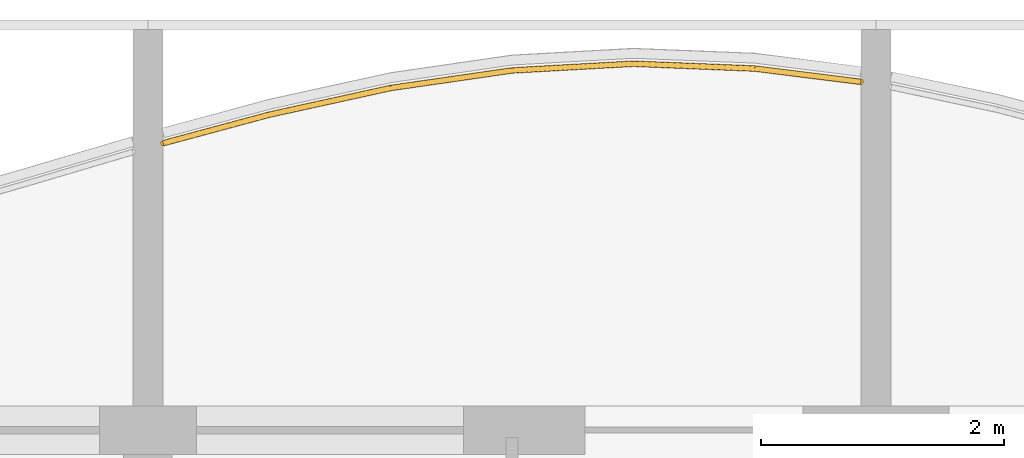
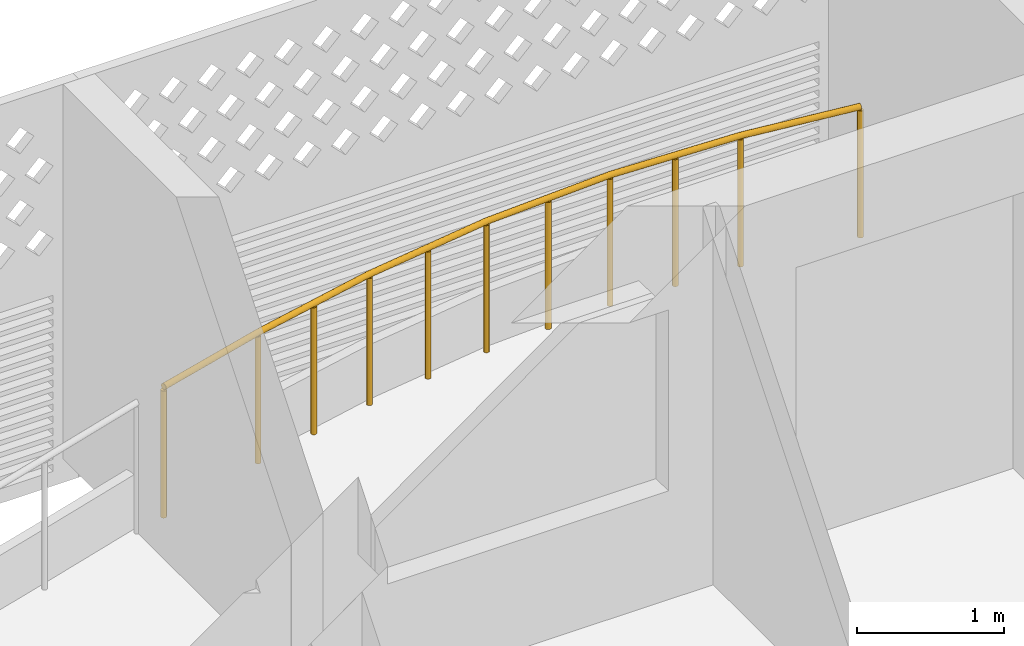
# One storey, part 28 of 44: 1 railing.
"""IFC4 building model written with IfcOpenShell, lengths in metres."""

from ifc_helpers import new_model, si_unit, direction, frame, origin, origin_2d, place, context, subcontext, project, spatial, circle, extrude, material, type_object, element, save


model = new_model("IFC4")

# Units and contexts
model_context = context("Model", 3, precision=1e-05, world=origin(), true_north=direction((0.0, 1.0)))
body_context = subcontext(model_context, "Body", "Model", "MODEL_VIEW")
ifc_project = project(units=[si_unit("LENGTHUNIT", "METRE"), si_unit("AREAUNIT", "SQUARE_METRE"), si_unit("VOLUMEUNIT", "CUBIC_METRE"), si_unit("PLANEANGLEUNIT", "RADIAN"), si_unit("MASSUNIT", "GRAM", prefix="KILO")], contexts=[model_context])

# Site, building, storey
site_placement = place(None, origin())
site = spatial("IfcSite", under=ifc_project, at=site_placement, CompositionType="ELEMENT")
building_placement = place(site_placement, origin())
building = spatial("IfcBuilding", under=site, at=building_placement, Name="Poui Terraces", CompositionType="ELEMENT")
storey_placement = place(building_placement, frame((0.0, 0.0, 26.699951171875)))
storey = spatial("IfcBuildingStorey", under=building, at=storey_placement, Name="L06", CompositionType="ELEMENT", Elevation=26.699951171875)

# Railing
ifc_material = material(Name="Painted steel fretwork", Category="steel")
railing_type = type_object("IfcRailingType", Name="BALCONY GUARD 1100", PredefinedType="GUARDRAIL", material=ifc_material)
railing_placement = place(storey_placement, frame((36.125, 47.164306640625, 0.0)))
element("IfcRailing", 1, at=railing_placement, inside=storey, type_object=railing_type, Name="BALCONY GUARD", PredefinedType="GUARDRAIL", context=body_context, shape_type="SweptSolid", body=[
    extrude(circle(Radius=0.02392578125, at=origin_2d()), frame((0.0, 0.0, 1.076171875), z_axis=(0.965610555684, 0.259992797499, 0.0), x_axis=(-0.259992797499, 0.965610555684, 0.0)), (0.0, 0.0, 1.0), 0.90625),
    extrude(circle(Radius=0.02392578125, at=origin_2d()), frame((0.875, 0.235595703125, 1.076171875), z_axis=(0.97675043296, 0.214379550593, 0.0), x_axis=(-0.214379550593, 0.97675043296, 0.0)), (0.0, 0.0, 1.0), 1.023681640625),
    extrude(circle(Radius=0.02392578125, at=origin_2d()), frame((1.875, 0.455078125, 1.076171875), z_axis=(0.989681961654, 0.143281592593, 0.0), x_axis=(-0.143281592593, 0.989681961654, 0.0)), (0.0, 0.0, 1.0), 1.010498046875),
    extrude(circle(Radius=0.02392578125, at=origin_2d()), frame((2.875, 0.599853515625, 1.076171875), z_axis=(0.998467844587, 0.055335009942, 0.0), x_axis=(-0.055335009942, 0.998467844587, 0.0)), (0.0, 0.0, 1.0), 1.00146484375),
    extrude(circle(Radius=0.02392578125, at=origin_2d()), frame((3.875, 0.6552734375, 1.076171875), z_axis=(0.99920912132, -0.03976344892, 0.0), x_axis=(0.03976344892, 0.99920912132, 0.0)), (0.0, 0.0, 1.0), 1.000732421875),
    extrude(circle(Radius=0.02392578125, at=origin_2d()), frame((4.875, 0.615478515625, 1.076171875), z_axis=(0.992243764966, -0.12430732435, 0.0), x_axis=(0.12430732435, 0.992243764966, 0.0)), (0.0, 0.0, 1.0), 0.8818359375),
    extrude(circle(Radius=0.02099609375, at=origin_2d()), origin(), (0.0, 0.0, 1.0), 1.052001953125),
    extrude(circle(Radius=0.02099609375, at=origin_2d()), frame((0.875, 0.235595703125, 0.0)), (0.0, 0.0, 1.0), 1.052001953125),
    extrude(circle(Radius=0.02099609375, at=origin_2d()), frame((1.375, 0.34521484375, 0.0)), (0.0, 0.0, 1.0), 1.052001953125),
    extrude(circle(Radius=0.02099609375, at=origin_2d()), frame((1.875, 0.455078125, 0.0)), (0.0, 0.0, 1.0), 1.052001953125),
    extrude(circle(Radius=0.02099609375, at=origin_2d()), frame((2.375, 0.52734375, 0.0)), (0.0, 0.0, 1.0), 1.052001953125),
    extrude(circle(Radius=0.02099609375, at=origin_2d()), frame((2.875, 0.599853515625, 0.0)), (0.0, 0.0, 1.0), 1.052001953125),
    extrude(circle(Radius=0.02099609375, at=origin_2d()), frame((3.375, 0.62744140625, 0.0)), (0.0, 0.0, 1.0), 1.052001953125),
    extrude(circle(Radius=0.02099609375, at=origin_2d()), frame((3.875, 0.6552734375, 0.0)), (0.0, 0.0, 1.0), 1.052001953125),
    extrude(circle(Radius=0.02099609375, at=origin_2d()), frame((4.375, 0.63525390625, 0.0)), (0.0, 0.0, 1.0), 1.052001953125),
    extrude(circle(Radius=0.02099609375, at=origin_2d()), frame((4.875, 0.615478515625, 0.0)), (0.0, 0.0, 1.0), 1.052001953125),
    extrude(circle(Radius=0.02099609375, at=origin_2d()), frame((5.75, 0.505859375, 0.0)), (0.0, 0.0, 1.0), 1.052001953125),
])

save(model, "model.ifc")
